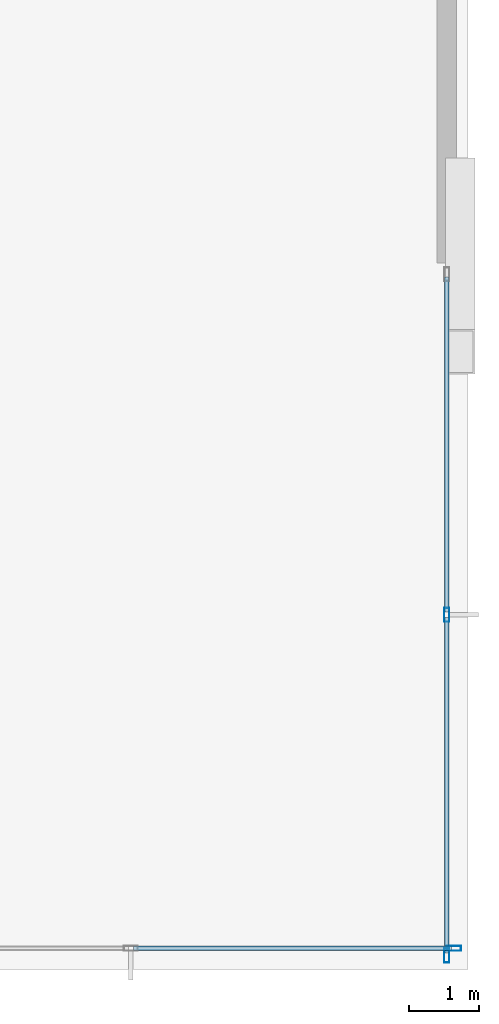
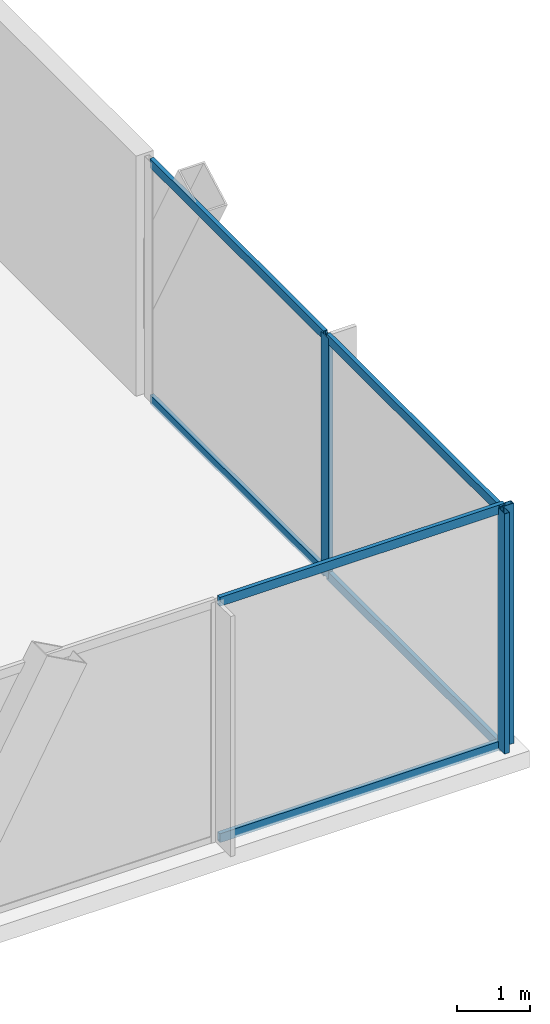
# One storey, part 17 of 42: 9 members, 2 elements without a shape of their own.
"""IFC4 building model written with IfcOpenShell, lengths in metres."""

from ifc_helpers import new_model, si_unit, direction, frame, origin, origin_2d, place, context, subcontext, project, spatial, hollow_rectangle, extrude, material, layer, layer_set, material_profile, profile_set, type_object, element, aggregate, save


model = new_model("IFC4")

# Units and contexts
model_context = context("Model", 3, precision=1e-05, world=origin(), true_north=direction((0.0, 1.0)))
body_context = subcontext(model_context, "Body", "Model", "MODEL_VIEW")
ifc_project = project(units=[si_unit("LENGTHUNIT", "METRE"), si_unit("AREAUNIT", "SQUARE_METRE"), si_unit("VOLUMEUNIT", "CUBIC_METRE"), si_unit("PLANEANGLEUNIT", "RADIAN"), si_unit("MASSUNIT", "GRAM", prefix="KILO")], contexts=[model_context])

# Site, building, storey
site_placement = place(None, origin())
site = spatial("IfcSite", under=ifc_project, at=site_placement, CompositionType="ELEMENT")
building_placement = place(site_placement, origin())
building = spatial("IfcBuilding", under=site, at=building_placement, Name="Orvanel Arch Residences", CompositionType="ELEMENT")
storey_placement = place(building_placement, frame((0.0, 0.0, 5.5)))
storey = spatial("IfcBuildingStorey", under=building, at=storey_placement, Name="L01", CompositionType="ELEMENT", Elevation=5.5)

# Curtain wall, member
ifc_material = material(Name="Bronze-anodised aluminium AA6063-T6", Category="aluminium")
ifc_layer = layer(ifc_material, 0.199951171875)
ifc_layer_set = layer_set([ifc_layer], Name="Bronze-anodised aluminium AA6063-T6")
curtain_wall_type = type_object("IfcCurtainWallType", Name="CW1-POD-SYS", PredefinedType="NOTDEFINED", material=ifc_layer_set)
curtain_wall_1_placement = place(storey_placement, origin())
curtain_wall_1 = element("IfcCurtainWall", 1, at=curtain_wall_1_placement, inside=storey, type_object=curtain_wall_type, Name="L01 CW1-POD-SYS Unitised Curtain Wall", PredefinedType="NOTDEFINED")
ifc_material_profile_1 = material_profile(ifc_material, hollow_rectangle(XDim=0.074951171875, YDim=0.199951171875, WallThickness=0.0048828125, at=origin_2d()), Name="ALU200x75x5")
ifc_profile_set_1 = profile_set([ifc_material_profile_1], Name="Bronze-anodised aluminium AA6063-T6")
member_type_1 = type_object("IfcMemberType", Name="MUL-200x75", PredefinedType="MULLION", material=ifc_profile_set_1)
member_1_placement = place(storey_placement, frame((64.552490234375, 0.75, 0.0), z_axis=(0.0, 0.0, 1.0), x_axis=(0.0, 1.0, 0.0)))
member_1 = element("IfcMember", 2, at=member_1_placement, type_object=member_type_1, Name="CW-S1 mullion 3", PredefinedType="MULLION", context=body_context, shape_type="SweptSolid", body=[
    extrude(hollow_rectangle(XDim=0.074951171875, YDim=0.199951171875, WallThickness=0.0048828125, at=origin_2d()), origin(), (0.0, 0.0, 1.0), 4.02001953125),
])

# Curtain wall, members
curtain_wall_2_placement = place(storey_placement, origin())
curtain_wall_2 = element("IfcCurtainWall", 3, at=curtain_wall_2_placement, inside=storey, type_object=curtain_wall_type, Name="L01 CW1-POD-SYS Unitised Curtain Wall", PredefinedType="NOTDEFINED")
member_2_placement = place(storey_placement, frame((64.449951171875, 0.6474609375, 0.0), z_axis=(0.0, 0.0, 1.0), x_axis=(-1.0, 0.0, 0.0)))
member_2 = element("IfcMember", 4, at=member_2_placement, type_object=member_type_1, Name="CW-S1 mullion 1", PredefinedType="MULLION", context=body_context, shape_type="SweptSolid", body=[
    extrude(hollow_rectangle(XDim=0.074951171875, YDim=0.199951171875, WallThickness=0.0048828125, at=origin_2d()), origin(), (0.0, 0.0, 1.0), 4.02001953125),
])
member_3_placement = place(storey_placement, frame((64.449951171875, 5.485107421875, 0.0), z_axis=(0.0, 0.0, 1.0), x_axis=(-1.0, 0.0, 0.0)))
member_3 = element("IfcMember", 5, at=member_3_placement, type_object=member_type_1, Name="CW-S1 mullion 2", PredefinedType="MULLION", context=body_context, shape_type="SweptSolid", body=[
    extrude(hollow_rectangle(XDim=0.074951171875, YDim=0.199951171875, WallThickness=0.0048828125, at=origin_2d()), origin(), (0.0, 0.0, 1.0), 4.02001953125),
])

# Member
ifc_material_profile_2 = material_profile(ifc_material, hollow_rectangle(XDim=0.06494140625, YDim=0.14990234375, WallThickness=0.00390625, at=origin_2d()), Name="ALU150x65x4")
ifc_profile_set_2 = profile_set([ifc_material_profile_2], Name="Bronze-anodised aluminium AA6063-T6")
member_type_2 = type_object("IfcMemberType", Name="TRN-150x65", PredefinedType="USERDEFINED", material=ifc_profile_set_2)
member_4_placement = place(storey_placement, frame((60.00244140625, 0.75, 0.032470703125), z_axis=(1.0, 0.0, 0.0), x_axis=(0.0, 1.0, 0.0)))
member_4 = element("IfcMember", 6, at=member_4_placement, type_object=member_type_2, Name="CW-S1 transom 2.1", ObjectType="TRANSOM", PredefinedType="USERDEFINED", context=body_context, shape_type="SweptSolid", body=[
    extrude(hollow_rectangle(XDim=0.06494140625, YDim=0.14990234375, WallThickness=0.00390625, at=origin_2d()), origin(), (0.0, 0.0, 1.0), 4.512451171875),
])

member_5_placement = place(storey_placement, frame((60.00244140625, 0.75, 3.987548828125), z_axis=(1.0, 0.0, 0.0), x_axis=(0.0, 1.0, 0.0)))
member_5 = element("IfcMember", 7, at=member_5_placement, type_object=member_type_2, Name="CW-S1 transom 2.2", ObjectType="TRANSOM", PredefinedType="USERDEFINED", context=body_context, shape_type="SweptSolid", body=[
    extrude(hollow_rectangle(XDim=0.06494140625, YDim=0.14990234375, WallThickness=0.00390625, at=origin_2d()), origin(), (0.0, 0.0, 1.0), 4.512451171875),
])

aggregate(curtain_wall_1, [member_1, member_4, member_5])

member_6_placement = place(storey_placement, frame((64.449951171875, 0.68505859375, 0.032470703125), z_axis=(0.0, 1.0, 0.0), x_axis=(-1.0, 0.0, 0.0)))
member_6 = element("IfcMember", 8, at=member_6_placement, type_object=member_type_2, Name="CW-S1 transom 1.1", ObjectType="TRANSOM", PredefinedType="USERDEFINED", context=body_context, shape_type="SweptSolid", body=[
    extrude(hollow_rectangle(XDim=0.06494140625, YDim=0.14990234375, WallThickness=0.00390625, at=origin_2d()), origin(), (0.0, 0.0, 1.0), 4.762451171875),
])

member_7_placement = place(storey_placement, frame((64.449951171875, 0.68505859375, 3.987548828125), z_axis=(0.0, 1.0, 0.0), x_axis=(-1.0, 0.0, 0.0)))
member_7 = element("IfcMember", 9, at=member_7_placement, type_object=member_type_2, Name="CW-S1 transom 1.2", ObjectType="TRANSOM", PredefinedType="USERDEFINED", context=body_context, shape_type="SweptSolid", body=[
    extrude(hollow_rectangle(XDim=0.06494140625, YDim=0.14990234375, WallThickness=0.00390625, at=origin_2d()), origin(), (0.0, 0.0, 1.0), 4.762451171875),
])

member_8_placement = place(storey_placement, frame((64.449951171875, 5.5224609375, 0.032470703125), z_axis=(0.0, 1.0, 0.0), x_axis=(-1.0, 0.0, 0.0)))
member_8 = element("IfcMember", 10, at=member_8_placement, type_object=member_type_2, Name="CW-S1 transom 2.1", ObjectType="TRANSOM", PredefinedType="USERDEFINED", context=body_context, shape_type="SweptSolid", body=[
    extrude(hollow_rectangle(XDim=0.06494140625, YDim=0.14990234375, WallThickness=0.00390625, at=origin_2d()), origin(), (0.0, 0.0, 1.0), 4.762451171875),
])

member_9_placement = place(storey_placement, frame((64.449951171875, 5.5224609375, 3.987548828125), z_axis=(0.0, 1.0, 0.0), x_axis=(-1.0, 0.0, 0.0)))
member_9 = element("IfcMember", 11, at=member_9_placement, type_object=member_type_2, Name="CW-S1 transom 2.2", ObjectType="TRANSOM", PredefinedType="USERDEFINED", context=body_context, shape_type="SweptSolid", body=[
    extrude(hollow_rectangle(XDim=0.06494140625, YDim=0.14990234375, WallThickness=0.00390625, at=origin_2d()), origin(), (0.0, 0.0, 1.0), 4.762451171875),
])

aggregate(curtain_wall_2, [member_2, member_3, member_6, member_7, member_8, member_9])

save(model, "model.ifc")
